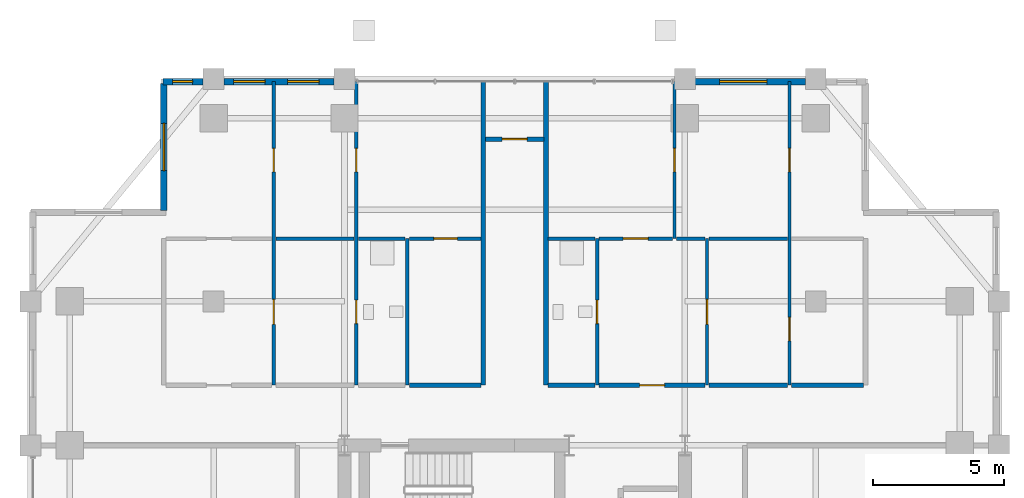
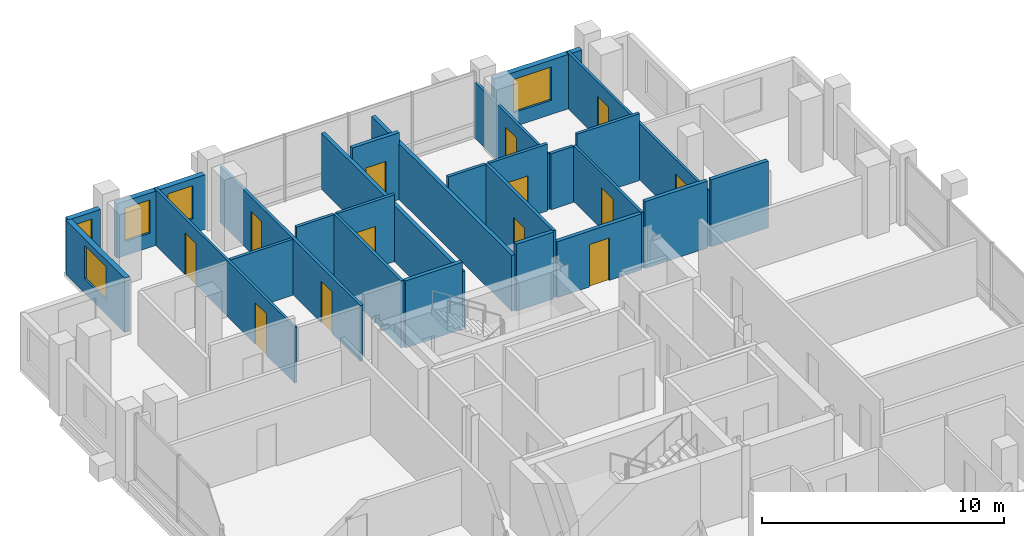
# One storey, part 21 of 24: 26 walls, 13 doors, 5 windows, 18 openings.
"""IFC4 building model written with IfcOpenShell, lengths in metres."""

from ifc_helpers import new_model, si_unit, direction, frame, frame_2d, origin, place, context, subcontext, project, spatial, rectangle, extrude, material, layer, layer_set, type_object, element, fill, save


model = new_model("IFC4")

# Units and contexts
model_context = context("Model", 3, precision=1e-05, world=origin(), true_north=direction((0.0, 1.0)))
body_context = subcontext(model_context, "Body", "Model", "MODEL_VIEW")
ifc_project = project(units=[si_unit("LENGTHUNIT", "METRE"), si_unit("AREAUNIT", "SQUARE_METRE"), si_unit("VOLUMEUNIT", "CUBIC_METRE"), si_unit("PLANEANGLEUNIT", "RADIAN"), si_unit("MASSUNIT", "GRAM", prefix="KILO")], contexts=[model_context])

# Site, building, storey
site_placement = place(None, origin())
site = spatial("IfcSite", under=ifc_project, at=site_placement, CompositionType="ELEMENT")
building_placement = place(site_placement, origin())
building = spatial("IfcBuilding", under=site, at=building_placement, Name="Barlavira Tower and Art Museum", CompositionType="ELEMENT")
storey_placement = place(building_placement, frame((0.0, 0.0, 201.60009765625)))
storey = spatial("IfcBuildingStorey", under=building, at=storey_placement, Name="L52", CompositionType="ELEMENT", Elevation=201.60009765625)

# Wall, openings, doors
ifc_material_1 = material(Name="Gypsum acoustic stud partition", Category="gypsum")
ifc_layer_1 = layer(ifc_material_1, 0.1201171875, Name="Gypsum acoustic stud partition")
ifc_layer_set_1 = layer_set([ifc_layer_1], Name="Gypsum acoustic stud partition")
wall_type_1 = type_object("IfcWallType", Name="Apartment Internal Acoustic Partition 120", PredefinedType="PARTITIONING", material=ifc_layer_set_1)
wall_1_placement = place(storey_placement, frame((-9.199951171875, 9.800048828125, 0.0), z_axis=(0.0, 0.0, 1.0), x_axis=(0.0, 1.0, 0.0)))
wall_1 = element("IfcWall", 1, at=wall_1_placement, inside=storey, type_object=wall_type_1, Name="L52 Partition Wall 4", PredefinedType="PARTITIONING", context=body_context, shape_type="SweptSolid", body=[
    extrude(rectangle(XDim=11.599853515625, YDim=0.1201171875, at=frame_2d((5.7998046875, 0.0))), origin(), (0.0, 0.0, 1.0), 2.825927734375),
])
opening_1_placement = place(wall_1_placement, frame((2.324951171875, 0.0, 0.0)))
opening_1 = element("IfcOpeningElement", 2, at=opening_1_placement, cuts=wall_1, Name="Opening D-02", PredefinedType="OPENING", context=body_context, shape_type="SweptSolid", body=[
    extrude(rectangle(XDim=0.949951171875, YDim=2.10009765625, at=frame_2d((0.47509765625, 1.050048828125))), frame((0.0, 0.070068359375, 0.0), z_axis=(0.0, -1.0, 0.0), x_axis=(1.0, 0.0, 0.0)), (0.0, 0.0, 1.0), 0.14013671875),
])
opening_2_placement = place(wall_1_placement, frame((8.14990234375, 0.0, 0.0)))
opening_2 = element("IfcOpeningElement", 3, at=opening_2_placement, cuts=wall_1, Name="Opening D-01", PredefinedType="OPENING", context=body_context, shape_type="SweptSolid", body=[
    extrude(rectangle(XDim=0.89990234375, YDim=2.10009765625, at=frame_2d((0.449951171875, 1.050048828125))), frame((0.0, 0.070068359375, 0.0), z_axis=(0.0, -1.0, 0.0), x_axis=(1.0, 0.0, 0.0)), (0.0, 0.0, 1.0), 0.14013671875),
])
ifc_material_2 = material(Name="Engineered coastal hardwood", Category="wood")
door_type_1 = type_object("IfcDoorType", Name="Internal Bedroom Timber Flush Door 900x2100", OperationType="NOTDEFINED", PredefinedType="DOOR", material=ifc_material_2)
door_1_placement = place(opening_2_placement, origin())
door_1 = element("IfcDoor", 4, at=door_1_placement, inside=storey, type_object=door_type_1, Name="Apartment NW1 Bedroom 1 Door", OperationType="SINGLE_SWING_RIGHT", OverallHeight=2.10009765625, OverallWidth=0.89990234375, PredefinedType="DOOR", context=body_context, shape_type="SweptSolid", body=[
    extrude(rectangle(XDim=0.89990234375, YDim=2.10009765625, at=frame_2d((0.449951171875, 1.050048828125))), frame((0.0, 0.02490234375, 0.0), z_axis=(0.0, -1.0, 0.0), x_axis=(1.0, 0.0, 0.0)), (0.0, 0.0, 1.0), 0.050048828125),
])
fill(opening_2, door_1)
door_type_2 = type_object("IfcDoorType", Name="Living and Salon Glazed-Leaf Door 950x2100", OperationType="NOTDEFINED", PredefinedType="DOOR", material=ifc_material_2)
door_2_placement = place(opening_1_placement, origin())
door_2 = element("IfcDoor", 5, at=door_2_placement, inside=storey, type_object=door_type_2, Name="Apartment NW1 Kitchen Door", OperationType="SINGLE_SWING_RIGHT", OverallHeight=2.10009765625, OverallWidth=0.949951171875, PredefinedType="DOOR", context=body_context, shape_type="SweptSolid", body=[
    extrude(rectangle(XDim=0.949951171875, YDim=2.10009765625, at=frame_2d((0.47509765625, 1.050048828125))), frame((0.0, 0.02490234375, 0.0), z_axis=(0.0, -1.0, 0.0), x_axis=(1.0, 0.0, 0.0)), (0.0, 0.0, 1.0), 0.050048828125),
])
fill(opening_1, door_2)

# Wall, opening, door
wall_2_placement = place(storey_placement, frame((6.10009765625, 15.39990234375, 0.0), z_axis=(0.0, 0.0, 1.0), x_axis=(0.0, 1.0, 0.0)))
wall_2 = element("IfcWall", 6, at=wall_2_placement, inside=storey, type_object=wall_type_1, Name="L52 Partition Wall 20", PredefinedType="PARTITIONING", context=body_context, shape_type="SweptSolid", body=[
    extrude(rectangle(XDim=6.0, YDim=0.1201171875, at=frame_2d((3.0, 0.0))), origin(), (0.0, 0.0, 1.0), 2.825927734375),
])
opening_3_placement = place(wall_2_placement, frame((2.550048828125, 0.0, 0.0)))
opening_3 = element("IfcOpeningElement", 7, at=opening_3_placement, cuts=wall_2, Name="Opening D-01", PredefinedType="OPENING", context=body_context, shape_type="SweptSolid", body=[
    extrude(rectangle(XDim=0.89990234375, YDim=2.10009765625, at=frame_2d((0.449951171875, 1.050048828125))), frame((0.0, 0.070068359375, 0.0), z_axis=(0.0, -1.0, 0.0), x_axis=(1.0, 0.0, 0.0)), (0.0, 0.0, 1.0), 0.14013671875),
])
door_3_placement = place(opening_3_placement, origin())
door_3 = element("IfcDoor", 8, at=door_3_placement, inside=storey, type_object=door_type_1, Name="Apartment NE1 Bedroom 1 Door", OperationType="SINGLE_SWING_LEFT", OverallHeight=2.10009765625, OverallWidth=0.89990234375, PredefinedType="DOOR", context=body_context, shape_type="SweptSolid", body=[
    extrude(rectangle(XDim=0.89990234375, YDim=2.10009765625, at=frame_2d((0.449951171875, 1.050048828125))), frame((0.0, 0.02490234375, 0.0), z_axis=(0.0, -1.0, 0.0), x_axis=(1.0, 0.0, 0.0)), (0.0, 0.0, 1.0), 0.050048828125),
])
fill(opening_3, door_3)

wall_3_placement = place(storey_placement, frame((7.35009765625, 9.800048828125, 0.0), z_axis=(0.0, 0.0, 1.0), x_axis=(0.0, 1.0, 0.0)))
wall_3 = element("IfcWall", 9, at=wall_3_placement, inside=storey, type_object=wall_type_1, Name="L52 Partition Wall 22", PredefinedType="PARTITIONING", context=body_context, shape_type="SweptSolid", body=[
    extrude(rectangle(XDim=5.599853515625, YDim=0.1201171875, at=frame_2d((2.7998046875, 0.0))), origin(), (0.0, 0.0, 1.0), 2.825927734375),
])
opening_4_placement = place(wall_3_placement, frame((2.324951171875, 0.0, 0.0)))
opening_4 = element("IfcOpeningElement", 10, at=opening_4_placement, cuts=wall_3, Name="Opening D-02", PredefinedType="OPENING", context=body_context, shape_type="SweptSolid", body=[
    extrude(rectangle(XDim=0.949951171875, YDim=2.10009765625, at=frame_2d((0.47509765625, 1.050048828125))), frame((0.0, 0.070068359375, 0.0), z_axis=(0.0, -1.0, 0.0), x_axis=(1.0, 0.0, 0.0)), (0.0, 0.0, 1.0), 0.14013671875),
])
door_4_placement = place(opening_4_placement, origin())
door_4 = element("IfcDoor", 11, at=door_4_placement, inside=storey, type_object=door_type_2, Name="Apartment NE1 Kitchen Door", OperationType="SINGLE_SWING_RIGHT", OverallHeight=2.10009765625, OverallWidth=0.949951171875, PredefinedType="DOOR", context=body_context, shape_type="SweptSolid", body=[
    extrude(rectangle(XDim=0.949951171875, YDim=2.10009765625, at=frame_2d((0.47509765625, 1.050048828125))), frame((0.0, 0.02490234375, 0.0), z_axis=(0.0, -1.0, 0.0), x_axis=(1.0, 0.0, 0.0)), (0.0, 0.0, 1.0), 0.050048828125),
])
fill(opening_4, door_4)

# Wall, openings, doors
wall_4_placement = place(storey_placement, frame((10.5, 9.800048828125, 0.0), z_axis=(0.0, 0.0, 1.0), x_axis=(0.0, 1.0, 0.0)))
wall_4 = element("IfcWall", 12, at=wall_4_placement, inside=storey, type_object=wall_type_1, Name="L52 Partition Wall 25", PredefinedType="PARTITIONING", context=body_context, shape_type="SweptSolid", body=[
    extrude(rectangle(XDim=11.599853515625, YDim=0.1201171875, at=frame_2d((5.7998046875, 0.0))), origin(), (0.0, 0.0, 1.0), 2.825927734375),
])
opening_5_placement = place(wall_4_placement, frame((1.694091796875, 0.0, 0.0)))
opening_5 = element("IfcOpeningElement", 13, at=opening_5_placement, cuts=wall_4, Name="Opening D-01", PredefinedType="OPENING", context=body_context, shape_type="SweptSolid", body=[
    extrude(rectangle(XDim=0.89990234375, YDim=2.10009765625, at=frame_2d((0.449951171875, 1.050048828125))), frame((0.0, 0.070068359375, 0.0), z_axis=(0.0, -1.0, 0.0), x_axis=(1.0, 0.0, 0.0)), (0.0, 0.0, 1.0), 0.14013671875),
])
opening_6_placement = place(wall_4_placement, frame((8.14990234375, 0.0, 0.0)))
opening_6 = element("IfcOpeningElement", 14, at=opening_6_placement, cuts=wall_4, Name="Opening D-01", PredefinedType="OPENING", context=body_context, shape_type="SweptSolid", body=[
    extrude(rectangle(XDim=0.89990234375, YDim=2.10009765625, at=frame_2d((0.449951171875, 1.050048828125))), frame((0.0, 0.070068359375, 0.0), z_axis=(0.0, -1.0, 0.0), x_axis=(1.0, 0.0, 0.0)), (0.0, 0.0, 1.0), 0.14013671875),
])
door_5_placement = place(opening_5_placement, origin())
door_5 = element("IfcDoor", 15, at=door_5_placement, inside=storey, type_object=door_type_1, Name="Apartment NE1 Walk-In Dressing Room Door", OperationType="SINGLE_SWING_LEFT", OverallHeight=2.10009765625, OverallWidth=0.89990234375, PredefinedType="DOOR", context=body_context, shape_type="SweptSolid", body=[
    extrude(rectangle(XDim=0.89990234375, YDim=2.10009765625, at=frame_2d((0.449951171875, 1.050048828125))), frame((0.0, 0.02490234375, 0.0), z_axis=(0.0, -1.0, 0.0), x_axis=(1.0, 0.0, 0.0)), (0.0, 0.0, 1.0), 0.050048828125),
])
fill(opening_5, door_5)
door_6_placement = place(opening_6_placement, origin())
door_6 = element("IfcDoor", 16, at=door_6_placement, inside=storey, type_object=door_type_1, Name="Apartment NE1 Bedroom 2 Door", OperationType="SINGLE_SWING_RIGHT", OverallHeight=2.10009765625, OverallWidth=0.89990234375, PredefinedType="DOOR", context=body_context, shape_type="SweptSolid", body=[
    extrude(rectangle(XDim=0.89990234375, YDim=2.10009765625, at=frame_2d((0.449951171875, 1.050048828125))), frame((0.0, 0.02490234375, 0.0), z_axis=(0.0, -1.0, 0.0), x_axis=(1.0, 0.0, 0.0)), (0.0, 0.0, 1.0), 0.050048828125),
])
fill(opening_6, door_6)

# Walls
ifc_layer_2 = layer(ifc_material_1, 0.179931640625, Name="Gypsum acoustic stud partition")
ifc_layer_set_2 = layer_set([ifc_layer_2], Name="Gypsum acoustic stud partition")
wall_type_2 = type_object("IfcWallType", Name="Inter-Tenancy Party Partition Wall 180", PredefinedType="PARTITIONING", material=ifc_layer_set_2)
for number, where, z_axis, x_axis, name in (
    (17, (-1.199951171875, 9.800048828125, 0.0), (0.0, 0.0, 1.0), (0.0, 1.0, 0.0), "L52 Partition Wall 13"),
    (18, (1.199951171875, 9.800048828125, 0.0), (0.0, 0.0, 1.0), (0.0, 1.0, 0.0), "L52 Partition Wall 15"),
):
    element("IfcWall", number, at=place(storey_placement, frame(where, z_axis=z_axis, x_axis=x_axis)), inside=storey, type_object=wall_type_2, Name=name, PredefinedType="PARTITIONING", context=body_context, shape_type="SweptSolid", body=[
        extrude(rectangle(XDim=11.599853515625, YDim=0.179931640625, at=frame_2d((5.7998046875, 0.0))), origin(), (0.0, 0.0, 1.0), 2.825927734375),
    ])
wall_5_placement = place(storey_placement, frame((-4.02001953125, 9.800048828125, 0.0), z_axis=(0.0, 0.0, 1.0), x_axis=(1.0, 0.0, 0.0)))
element("IfcWall", 19, at=wall_5_placement, inside=storey, type_object=wall_type_2, Name="L52 Partition Wall 61", PredefinedType="PARTITIONING", context=body_context, shape_type="SweptSolid", body=[
    extrude(rectangle(XDim=2.739990234375, YDim=0.179931640625, at=frame_2d((1.3701171875, 0.0))), origin(), (0.0, 0.0, 1.0), 3.3798828125),
])
wall_6_placement = place(storey_placement, frame((1.280029296875, 9.800048828125, 0.0), z_axis=(0.0, 0.0, 1.0), x_axis=(1.0, 0.0, 0.0)))
element("IfcWall", 20, at=wall_6_placement, inside=storey, type_object=wall_type_2, Name="L52 Partition Wall 62", PredefinedType="PARTITIONING", context=body_context, shape_type="SweptSolid", body=[
    extrude(rectangle(XDim=1.7900390625, YDim=0.179931640625, at=frame_2d((0.89501953125, 0.0))), origin(), (0.0, 0.0, 1.0), 3.3798828125),
])

# Wall, opening, door
wall_7_placement = place(storey_placement, frame((3.22998046875, 9.800048828125, 0.0), z_axis=(0.0, 0.0, 1.0), x_axis=(1.0, 0.0, 0.0)))
wall_7 = element("IfcWall", 21, at=wall_7_placement, inside=storey, type_object=wall_type_2, Name="L52 Partition Wall 63", PredefinedType="PARTITIONING", context=body_context, shape_type="SweptSolid", body=[
    extrude(rectangle(XDim=4.0400390625, YDim=0.179931640625, at=frame_2d((2.02001953125, 0.0))), origin(), (0.0, 0.0, 1.0), 2.825927734375),
])
opening_7_placement = place(wall_7_placement, frame((1.544921875, 0.0, 0.0)))
opening_7 = element("IfcOpeningElement", 22, at=opening_7_placement, cuts=wall_7, Name="Opening FD-60", PredefinedType="OPENING", context=body_context, shape_type="SweptSolid", body=[
    extrude(rectangle(XDim=0.949951171875, YDim=2.14990234375, at=frame_2d((0.47509765625, 1.074951171875))), frame((0.0, 0.10009765625, 0.0), z_axis=(0.0, -1.0, 0.0), x_axis=(1.0, 0.0, 0.0)), (0.0, 0.0, 1.0), 0.199951171875),
])
ifc_material_3 = material(Name="Brushed stainless steel", Category="steel")
door_type_3 = type_object("IfcDoorType", Name="Apartment Entrance and Riser Fire Door 950x2150 FD60S", OperationType="NOTDEFINED", PredefinedType="DOOR", material=ifc_material_3)
door_7_placement = place(opening_7_placement, origin())
door_7 = element("IfcDoor", 23, at=door_7_placement, inside=storey, type_object=door_type_3, Name="Apartment Entrance Hall NE1 Door", OperationType="SINGLE_SWING_LEFT", OverallHeight=2.14990234375, OverallWidth=0.949951171875, PredefinedType="DOOR", context=body_context, shape_type="SweptSolid", body=[
    extrude(rectangle(XDim=0.949951171875, YDim=2.14990234375, at=frame_2d((0.47509765625, 1.074951171875))), frame((0.0, 0.02490234375, 0.0), z_axis=(0.0, -1.0, 0.0), x_axis=(1.0, 0.0, 0.0)), (0.0, 0.0, 1.0), 0.050048828125),
])
fill(opening_7, door_7)

# Walls
wall_8_placement = place(storey_placement, frame((7.429931640625, 9.800048828125, 0.0), z_axis=(0.0, 0.0, 1.0), x_axis=(1.0, 0.0, 0.0)))
element("IfcWall", 24, at=wall_8_placement, inside=storey, type_object=wall_type_2, Name="L52 Partition Wall 64", PredefinedType="PARTITIONING", context=body_context, shape_type="SweptSolid", body=[
    extrude(rectangle(XDim=2.989990234375, YDim=0.179931640625, at=frame_2d((1.4951171875, 0.0))), origin(), (0.0, 0.0, 1.0), 3.3798828125),
])
wall_9_placement = place(storey_placement, frame((10.580078125, 9.800048828125, 0.0), z_axis=(0.0, 0.0, 1.0), x_axis=(1.0, 0.0, 0.0)))
element("IfcWall", 25, at=wall_9_placement, inside=storey, type_object=wall_type_2, Name="L52 Partition Wall 65", PredefinedType="PARTITIONING", context=body_context, shape_type="SweptSolid", body=[
    extrude(rectangle(XDim=2.739990234375, YDim=0.179931640625, at=frame_2d((1.3701171875, 0.0))), origin(), (0.0, 0.0, 1.0), 3.3798828125),
])

# Wall, opening, door
wall_10_placement = place(storey_placement, frame((-1.1201171875, 19.199951171875, 0.0), z_axis=(0.0, 0.0, 1.0), x_axis=(1.0, 0.0, 0.0)))
wall_10 = element("IfcWall", 26, at=wall_10_placement, inside=storey, type_object=wall_type_2, Name="L52 Partition Wall 75", PredefinedType="PARTITIONING", context=body_context, shape_type="SweptSolid", body=[
    extrude(rectangle(XDim=2.240234375, YDim=0.179931640625, at=frame_2d((1.1201171875, 0.0))), origin(), (0.0, 0.0, 1.0), 3.3798828125),
])
opening_8_placement = place(wall_10_placement, frame((0.64501953125, 0.0, 0.0)))
opening_8 = element("IfcOpeningElement", 27, at=opening_8_placement, cuts=wall_10, Name="Opening FD-60", PredefinedType="OPENING", context=body_context, shape_type="SweptSolid", body=[
    extrude(rectangle(XDim=0.949951171875, YDim=2.14990234375, at=frame_2d((0.47509765625, 1.074951171875))), frame((0.0, 0.10009765625, 0.0), z_axis=(0.0, -1.0, 0.0), x_axis=(1.0, 0.0, 0.0)), (0.0, 0.0, 1.0), 0.199951171875),
])
door_8_placement = place(opening_8_placement, origin())
door_8 = element("IfcDoor", 28, at=door_8_placement, inside=storey, type_object=door_type_3, Name="L52 North Ocean Alcove Door", OperationType="SINGLE_SWING_RIGHT", OverallHeight=2.14990234375, OverallWidth=0.949951171875, PredefinedType="DOOR", context=body_context, shape_type="SweptSolid", body=[
    extrude(rectangle(XDim=0.949951171875, YDim=2.14990234375, at=frame_2d((0.47509765625, 1.074951171875))), frame((0.0, 0.02490234375, 0.0), z_axis=(0.0, -1.0, 0.0), x_axis=(1.0, 0.0, 0.0)), (0.0, 0.0, 1.0), 0.050048828125),
])
fill(opening_8, door_8)

# Wall, openings, doors
ifc_layer_3 = layer(ifc_material_1, 0.139892578125, Name="Gypsum acoustic stud partition")
ifc_layer_set_3 = layer_set([ifc_layer_3], Name="Gypsum acoustic stud partition")
wall_type_3 = type_object("IfcWallType", Name="Moisture-Resistant Bathroom Partition 140", PredefinedType="PARTITIONING", material=ifc_layer_set_3)
wall_11_placement = place(storey_placement, frame((-6.050048828125, 9.800048828125, 0.0), z_axis=(0.0, 0.0, 1.0), x_axis=(0.0, 1.0, 0.0)))
wall_11 = element("IfcWall", 29, at=wall_11_placement, inside=storey, type_object=wall_type_3, Name="L52 Partition Wall 8", PredefinedType="PARTITIONING", context=body_context, shape_type="SweptSolid", body=[
    extrude(rectangle(XDim=11.599853515625, YDim=0.139892578125, at=frame_2d((5.7998046875, 0.0))), origin(), (0.0, 0.0, 1.0), 2.825927734375),
])
opening_9_placement = place(wall_11_placement, frame((2.35009765625, 0.0, 0.0)))
opening_9 = element("IfcOpeningElement", 30, at=opening_9_placement, cuts=wall_11, Name="Opening D-WC", PredefinedType="OPENING", context=body_context, shape_type="SweptSolid", body=[
    extrude(rectangle(XDim=0.89990234375, YDim=2.10009765625, at=frame_2d((0.449951171875, 1.050048828125))), frame((0.0, 0.080078125, 0.0), z_axis=(0.0, -1.0, 0.0), x_axis=(1.0, 0.0, 0.0)), (0.0, 0.0, 1.0), 0.159912109375),
])
opening_10_placement = place(wall_11_placement, frame((8.14990234375, 0.0, 0.0)))
opening_10 = element("IfcOpeningElement", 31, at=opening_10_placement, cuts=wall_11, Name="Opening D-01", PredefinedType="OPENING", context=body_context, shape_type="SweptSolid", body=[
    extrude(rectangle(XDim=0.89990234375, YDim=2.10009765625, at=frame_2d((0.449951171875, 1.050048828125))), frame((0.0, 0.080078125, 0.0), z_axis=(0.0, -1.0, 0.0), x_axis=(1.0, 0.0, 0.0)), (0.0, 0.0, 1.0), 0.159912109375),
])
door_type_4 = type_object("IfcDoorType", Name="Accessible Bathroom Flush Door 900x2100", OperationType="NOTDEFINED", PredefinedType="DOOR", material=ifc_material_2)
door_9_placement = place(opening_9_placement, origin())
door_9 = element("IfcDoor", 32, at=door_9_placement, inside=storey, type_object=door_type_4, Name="Apartment NW1 Hall Bathroom Door", OperationType="SINGLE_SWING_LEFT", OverallHeight=2.10009765625, OverallWidth=0.89990234375, PredefinedType="DOOR", context=body_context, shape_type="SweptSolid", body=[
    extrude(rectangle(XDim=0.89990234375, YDim=2.10009765625, at=frame_2d((0.449951171875, 1.050048828125))), frame((0.0, 0.02490234375, 0.0), z_axis=(0.0, -1.0, 0.0), x_axis=(1.0, 0.0, 0.0)), (0.0, 0.0, 1.0), 0.050048828125),
])
fill(opening_9, door_9)
door_10_placement = place(opening_10_placement, origin())
door_10 = element("IfcDoor", 33, at=door_10_placement, inside=storey, type_object=door_type_1, Name="Apartment NW1 Bedroom 2 Door", OperationType="SINGLE_SWING_LEFT", OverallHeight=2.10009765625, OverallWidth=0.89990234375, PredefinedType="DOOR", context=body_context, shape_type="SweptSolid", body=[
    extrude(rectangle(XDim=0.89990234375, YDim=2.10009765625, at=frame_2d((0.449951171875, 1.050048828125))), frame((0.0, 0.02490234375, 0.0), z_axis=(0.0, -1.0, 0.0), x_axis=(1.0, 0.0, 0.0)), (0.0, 0.0, 1.0), 0.050048828125),
])
fill(opening_10, door_10)

# Wall
wall_12_placement = place(storey_placement, frame((-4.10009765625, 9.800048828125, 0.0), z_axis=(0.0, 0.0, 1.0), x_axis=(0.0, 1.0, 0.0)))
element("IfcWall", 34, at=wall_12_placement, inside=storey, type_object=wall_type_3, Name="L52 Partition Wall 11", PredefinedType="PARTITIONING", context=body_context, shape_type="SweptSolid", body=[
    extrude(rectangle(XDim=5.599853515625, YDim=0.139892578125, at=frame_2d((2.7998046875, 0.0))), origin(), (0.0, 0.0, 1.0), 3.3798828125),
])

# Wall, opening, door
wall_13_placement = place(storey_placement, frame((3.14990234375, 9.800048828125, 0.0), z_axis=(0.0, 0.0, 1.0), x_axis=(0.0, 1.0, 0.0)))
wall_13 = element("IfcWall", 35, at=wall_13_placement, inside=storey, type_object=wall_type_3, Name="L52 Partition Wall 17", PredefinedType="PARTITIONING", context=body_context, shape_type="SweptSolid", body=[
    extrude(rectangle(XDim=5.599853515625, YDim=0.139892578125, at=frame_2d((2.7998046875, 0.0))), origin(), (0.0, 0.0, 1.0), 3.3798828125),
])
opening_11_placement = place(wall_13_placement, frame((2.35009765625, 0.0, 0.0)))
opening_11 = element("IfcOpeningElement", 36, at=opening_11_placement, cuts=wall_13, Name="Opening D-WC", PredefinedType="OPENING", context=body_context, shape_type="SweptSolid", body=[
    extrude(rectangle(XDim=0.89990234375, YDim=2.10009765625, at=frame_2d((0.449951171875, 1.050048828125))), frame((0.0, 0.080078125, 0.0), z_axis=(0.0, -1.0, 0.0), x_axis=(1.0, 0.0, 0.0)), (0.0, 0.0, 1.0), 0.159912109375),
])
door_11_placement = place(opening_11_placement, origin())
door_11 = element("IfcDoor", 37, at=door_11_placement, inside=storey, type_object=door_type_4, Name="Apartment NE1 Hall Bathroom Door", OperationType="SINGLE_SWING_RIGHT", OverallHeight=2.10009765625, OverallWidth=0.89990234375, PredefinedType="DOOR", context=body_context, shape_type="SweptSolid", body=[
    extrude(rectangle(XDim=0.89990234375, YDim=2.10009765625, at=frame_2d((0.449951171875, 1.050048828125))), frame((0.0, 0.02490234375, 0.0), z_axis=(0.0, -1.0, 0.0), x_axis=(1.0, 0.0, 0.0)), (0.0, 0.0, 1.0), 0.050048828125),
])
fill(opening_11, door_11)

# Walls
wall_14_placement = place(storey_placement, frame((-9.1201171875, 15.39990234375, 0.0), z_axis=(0.0, 0.0, 1.0), x_axis=(1.0, 0.0, 0.0)))
element("IfcWall", 38, at=wall_14_placement, inside=storey, type_object=wall_type_3, Name="L52 Partition Wall 67", PredefinedType="PARTITIONING", context=body_context, shape_type="SweptSolid", body=[
    extrude(rectangle(XDim=2.990234375, YDim=0.139892578125, at=frame_2d((1.4951171875, 0.0))), origin(), (0.0, 0.0, 1.0), 2.825927734375),
])
wall_15_placement = place(storey_placement, frame((-5.969970703125, 15.39990234375, 0.0), z_axis=(0.0, 0.0, 1.0), x_axis=(1.0, 0.0, 0.0)))
element("IfcWall", 39, at=wall_15_placement, inside=storey, type_object=wall_type_3, Name="L52 Partition Wall 68", PredefinedType="PARTITIONING", context=body_context, shape_type="SweptSolid", body=[
    extrude(rectangle(XDim=1.7900390625, YDim=0.139892578125, at=frame_2d((0.89501953125, 0.0))), origin(), (0.0, 0.0, 1.0), 3.3798828125),
])

# Wall, opening, door
wall_16_placement = place(storey_placement, frame((-4.02001953125, 15.39990234375, 0.0), z_axis=(0.0, 0.0, 1.0), x_axis=(1.0, 0.0, 0.0)))
wall_16 = element("IfcWall", 40, at=wall_16_placement, inside=storey, type_object=wall_type_3, Name="L52 Partition Wall 69", PredefinedType="PARTITIONING", context=body_context, shape_type="SweptSolid", body=[
    extrude(rectangle(XDim=2.739990234375, YDim=0.139892578125, at=frame_2d((1.3701171875, 0.0))), origin(), (0.0, 0.0, 1.0), 3.3798828125),
])
opening_12_placement = place(wall_16_placement, frame((0.929931640625, 0.0, 0.0)))
opening_12 = element("IfcOpeningElement", 41, at=opening_12_placement, cuts=wall_16, Name="Opening D-01", PredefinedType="OPENING", context=body_context, shape_type="SweptSolid", body=[
    extrude(rectangle(XDim=0.89990234375, YDim=2.10009765625, at=frame_2d((0.449951171875, 1.050048828125))), frame((0.0, 0.080078125, 0.0), z_axis=(0.0, -1.0, 0.0), x_axis=(1.0, 0.0, 0.0)), (0.0, 0.0, 1.0), 0.159912109375),
])
door_12_placement = place(opening_12_placement, origin())
door_12 = element("IfcDoor", 42, at=door_12_placement, inside=storey, type_object=door_type_1, Name="Apartment NW1 Study Door", OperationType="SINGLE_SWING_RIGHT", OverallHeight=2.10009765625, OverallWidth=0.89990234375, PredefinedType="DOOR", context=body_context, shape_type="SweptSolid", body=[
    extrude(rectangle(XDim=0.89990234375, YDim=2.10009765625, at=frame_2d((0.449951171875, 1.050048828125))), frame((0.0, 0.02490234375, 0.0), z_axis=(0.0, -1.0, 0.0), x_axis=(1.0, 0.0, 0.0)), (0.0, 0.0, 1.0), 0.050048828125),
])
fill(opening_12, door_12)

# Wall
wall_17_placement = place(storey_placement, frame((1.280029296875, 15.39990234375, 0.0), z_axis=(0.0, 0.0, 1.0), x_axis=(1.0, 0.0, 0.0)))
element("IfcWall", 43, at=wall_17_placement, inside=storey, type_object=wall_type_3, Name="L52 Partition Wall 70", PredefinedType="PARTITIONING", context=body_context, shape_type="SweptSolid", body=[
    extrude(rectangle(XDim=1.7900390625, YDim=0.139892578125, at=frame_2d((0.89501953125, 0.0))), origin(), (0.0, 0.0, 1.0), 3.3798828125),
])

# Wall, opening, door
wall_18_placement = place(storey_placement, frame((3.22998046875, 15.39990234375, 0.0), z_axis=(0.0, 0.0, 1.0), x_axis=(1.0, 0.0, 0.0)))
wall_18 = element("IfcWall", 44, at=wall_18_placement, inside=storey, type_object=wall_type_3, Name="L52 Partition Wall 71", PredefinedType="PARTITIONING", context=body_context, shape_type="SweptSolid", body=[
    extrude(rectangle(XDim=2.7900390625, YDim=0.139892578125, at=frame_2d((1.39501953125, 0.0))), origin(), (0.0, 0.0, 1.0), 3.3798828125),
])
opening_13_placement = place(wall_18_placement, frame((0.9150390625, 0.0, 0.0)))
opening_13 = element("IfcOpeningElement", 45, at=opening_13_placement, cuts=wall_18, Name="Opening D-02", PredefinedType="OPENING", context=body_context, shape_type="SweptSolid", body=[
    extrude(rectangle(XDim=0.949951171875, YDim=2.10009765625, at=frame_2d((0.47509765625, 1.050048828125))), frame((0.0, 0.080078125, 0.0), z_axis=(0.0, -1.0, 0.0), x_axis=(1.0, 0.0, 0.0)), (0.0, 0.0, 1.0), 0.159912109375),
])
door_13_placement = place(opening_13_placement, origin())
door_13 = element("IfcDoor", 46, at=door_13_placement, inside=storey, type_object=door_type_2, Name="Apartment NE1 Living Lounge Door", OperationType="SINGLE_SWING_RIGHT", OverallHeight=2.10009765625, OverallWidth=0.949951171875, PredefinedType="DOOR", context=body_context, shape_type="SweptSolid", body=[
    extrude(rectangle(XDim=0.949951171875, YDim=2.10009765625, at=frame_2d((0.47509765625, 1.050048828125))), frame((0.0, 0.02490234375, 0.0), z_axis=(0.0, -1.0, 0.0), x_axis=(1.0, 0.0, 0.0)), (0.0, 0.0, 1.0), 0.050048828125),
])
fill(opening_13, door_13)

# Walls
wall_19_placement = place(storey_placement, frame((6.179931640625, 15.39990234375, 0.0), z_axis=(0.0, 0.0, 1.0), x_axis=(1.0, 0.0, 0.0)))
element("IfcWall", 47, at=wall_19_placement, inside=storey, type_object=wall_type_3, Name="L52 Partition Wall 72", PredefinedType="PARTITIONING", context=body_context, shape_type="SweptSolid", body=[
    extrude(rectangle(XDim=1.090087890625, YDim=0.139892578125, at=frame_2d((0.544921875, 0.0))), origin(), (0.0, 0.0, 1.0), 2.825927734375),
])
wall_20_placement = place(storey_placement, frame((7.429931640625, 15.39990234375, 0.0), z_axis=(0.0, 0.0, 1.0), x_axis=(1.0, 0.0, 0.0)))
element("IfcWall", 48, at=wall_20_placement, inside=storey, type_object=wall_type_3, Name="L52 Partition Wall 73", PredefinedType="PARTITIONING", context=body_context, shape_type="SweptSolid", body=[
    extrude(rectangle(XDim=2.989990234375, YDim=0.139892578125, at=frame_2d((1.4951171875, 0.0))), origin(), (0.0, 0.0, 1.0), 3.3798828125),
])

# Wall, opening, window
ifc_material_4 = material(Name="Precast concrete C40", Category="concrete")
ifc_layer_4 = layer(ifc_material_4, 0.25, Name="Precast concrete C40")
ifc_layer_set_4 = layer_set([ifc_layer_4], Name="Precast concrete C40")
wall_type_4 = type_object("IfcWallType", Name="Notched Corner Spandrel Wall 250 Precast Concrete C40", PredefinedType="SOLIDWALL", material=ifc_layer_set_4)
wall_21_placement = place(storey_placement, frame((11.10498046875, 21.39990234375, 0.0), z_axis=(0.0, 0.0, 1.0), x_axis=(-1.0, 0.0, 0.0)))
wall_21 = element("IfcWall", 49, at=wall_21_placement, inside=storey, type_object=wall_type_4, Name="L52 Coastal Facade Pier Wall CW3-L52-N-2", PredefinedType="SOLIDWALL", context=body_context, shape_type="SweptSolid", body=[
    extrude(rectangle(XDim=4.2099609375, YDim=0.25, at=frame_2d((2.10498046875, 0.0))), origin(), (0.0, 0.0, 1.0), 2.747802734375),
])
opening_14_placement = place(wall_21_placement, frame((1.47509765625, 0.0, 0.719970703125)))
opening_14 = element("IfcOpeningElement", 50, at=opening_14_placement, cuts=wall_21, Name="Opening WN-01", PredefinedType="OPENING", context=body_context, shape_type="SweptSolid", body=[
    extrude(rectangle(XDim=1.800048828125, YDim=1.679931640625, at=frame_2d((0.89990234375, 0.83984375))), frame((0.0, 0.135009765625, 0.0), z_axis=(0.0, -1.0, 0.0), x_axis=(1.0, 0.0, 0.0)), (0.0, 0.0, 1.0), 0.27001953125),
])
ifc_material_5 = material(Name="Low-iron coastal laminated glass", Category="glass")
window_type_1 = type_object("IfcWindowType", Name="Recessed Notch Corner Punch Window 1800x1680", PartitioningType="SINGLE_PANEL", PredefinedType="WINDOW", material=ifc_material_5)
window_1_placement = place(opening_14_placement, origin())
window_1 = element("IfcWindow", 51, at=window_1_placement, inside=storey, type_object=window_type_1, Name="L52 Punched Facade Window EWP-CW3-L52-N-2-1", OverallHeight=1.679931640625, OverallWidth=1.800048828125, PartitioningType="SINGLE_PANEL", PredefinedType="WINDOW", context=body_context, shape_type="SweptSolid", body=[
    extrude(rectangle(XDim=1.800048828125, YDim=1.679931640625, at=frame_2d((0.89990234375, 0.83984375))), frame((0.0, 0.030029296875, 0.0), z_axis=(0.0, -1.0, 0.0), x_axis=(1.0, 0.0, 0.0)), (0.0, 0.0, 1.0), 0.06005859375),
])
fill(opening_14, window_1)

# Wall, openings, windows
wall_22_placement = place(storey_placement, frame((-6.89501953125, 21.39990234375, 0.0), z_axis=(0.0, 0.0, 1.0), x_axis=(-1.0, 0.0, 0.0)))
wall_22 = element("IfcWall", 52, at=wall_22_placement, inside=storey, type_object=wall_type_4, Name="L52 Coastal Facade Pier Wall CW3-L52-N-4", PredefinedType="SOLIDWALL", context=body_context, shape_type="SweptSolid", body=[
    extrude(rectangle(XDim=4.2099609375, YDim=0.25, at=frame_2d((2.10498046875, 0.0))), origin(), (0.0, 0.0, 1.0), 2.747802734375),
])
opening_15_placement = place(wall_22_placement, frame((0.574951171875, 0.0, 0.719970703125)))
opening_15 = element("IfcOpeningElement", 53, at=opening_15_placement, cuts=wall_22, Name="Opening WN-05", PredefinedType="OPENING", context=body_context, shape_type="SweptSolid", body=[
    extrude(rectangle(XDim=1.199951171875, YDim=1.679931640625, at=frame_2d((0.60009765625, 0.83984375))), frame((0.0, 0.135009765625, 0.0), z_axis=(0.0, -1.0, 0.0), x_axis=(1.0, 0.0, 0.0)), (0.0, 0.0, 1.0), 0.27001953125),
])
opening_16_placement = place(wall_22_placement, frame((2.635009765625, 0.0, 0.719970703125)))
opening_16 = element("IfcOpeningElement", 54, at=opening_16_placement, cuts=wall_22, Name="Opening WN-05", PredefinedType="OPENING", context=body_context, shape_type="SweptSolid", body=[
    extrude(rectangle(XDim=1.199951171875, YDim=1.679931640625, at=frame_2d((0.60009765625, 0.83984375))), frame((0.0, 0.135009765625, 0.0), z_axis=(0.0, -1.0, 0.0), x_axis=(1.0, 0.0, 0.0)), (0.0, 0.0, 1.0), 0.27001953125),
])
window_type_2 = type_object("IfcWindowType", Name="Recessed Flank Pier Punch Window 1200x1680", PartitioningType="SINGLE_PANEL", PredefinedType="WINDOW", material=ifc_material_5)
window_2_placement = place(opening_15_placement, origin())
window_2 = element("IfcWindow", 55, at=window_2_placement, inside=storey, type_object=window_type_2, Name="L52 Punched Facade Window EWP-CW3-L52-N-4-1", OverallHeight=1.679931640625, OverallWidth=1.199951171875, PartitioningType="SINGLE_PANEL", PredefinedType="WINDOW", context=body_context, shape_type="SweptSolid", body=[
    extrude(rectangle(XDim=1.199951171875, YDim=1.679931640625, at=frame_2d((0.60009765625, 0.83984375))), frame((0.0, 0.030029296875, 0.0), z_axis=(0.0, -1.0, 0.0), x_axis=(1.0, 0.0, 0.0)), (0.0, 0.0, 1.0), 0.06005859375),
])
fill(opening_15, window_2)
window_3_placement = place(opening_16_placement, origin())
window_3 = element("IfcWindow", 56, at=window_3_placement, inside=storey, type_object=window_type_2, Name="L52 Punched Facade Window EWP-CW3-L52-N-4-2", OverallHeight=1.679931640625, OverallWidth=1.199951171875, PartitioningType="SINGLE_PANEL", PredefinedType="WINDOW", context=body_context, shape_type="SweptSolid", body=[
    extrude(rectangle(XDim=1.199951171875, YDim=1.679931640625, at=frame_2d((0.60009765625, 0.83984375))), frame((0.0, 0.030029296875, 0.0), z_axis=(0.0, -1.0, 0.0), x_axis=(1.0, 0.0, 0.0)), (0.0, 0.0, 1.0), 0.06005859375),
])
fill(opening_16, window_3)

# Wall, opening, window
wall_23_placement = place(storey_placement, frame((-11.89501953125, 21.39990234375, 0.0), z_axis=(0.0, 0.0, 1.0), x_axis=(-1.0, 0.0, 0.0)))
wall_23 = element("IfcWall", 57, at=wall_23_placement, inside=storey, type_object=wall_type_4, Name="L52 Coastal Facade Pier Wall CW3-L52-N-5", PredefinedType="SOLIDWALL", context=body_context, shape_type="SweptSolid", body=[
    extrude(rectangle(XDim=1.530029296875, YDim=0.25, at=frame_2d((0.76513671875, 0.0))), origin(), (0.0, 0.0, 1.0), 2.747802734375),
])
opening_17_placement = place(wall_23_placement, frame((0.407958984375, 0.0, 0.719970703125)))
opening_17 = element("IfcOpeningElement", 58, at=opening_17_placement, cuts=wall_23, Name="Opening WN-06", PredefinedType="OPENING", context=body_context, shape_type="SweptSolid", body=[
    extrude(rectangle(XDim=0.760009765625, YDim=1.679931640625, at=frame_2d((0.3798828125, 0.83984375))), frame((0.0, 0.135009765625, 0.0), z_axis=(0.0, -1.0, 0.0), x_axis=(1.0, 0.0, 0.0)), (0.0, 0.0, 1.0), 0.27001953125),
])
window_type_3 = type_object("IfcWindowType", Name="Recessed Narrow Pier Window 760x1680", PartitioningType="SINGLE_PANEL", PredefinedType="WINDOW", material=ifc_material_5)
window_4_placement = place(opening_17_placement, origin())
window_4 = element("IfcWindow", 59, at=window_4_placement, inside=storey, type_object=window_type_3, Name="L52 Punched Facade Window EWP-CW3-L52-N-5-1", OverallHeight=1.679931640625, OverallWidth=0.760009765625, PartitioningType="SINGLE_PANEL", PredefinedType="WINDOW", context=body_context, shape_type="SweptSolid", body=[
    extrude(rectangle(XDim=0.760009765625, YDim=1.679931640625, at=frame_2d((0.3798828125, 0.83984375))), frame((0.0, 0.030029296875, 0.0), z_axis=(0.0, -1.0, 0.0), x_axis=(1.0, 0.0, 0.0)), (0.0, 0.0, 1.0), 0.06005859375),
])
fill(opening_17, window_4)

wall_24_placement = place(storey_placement, frame((-13.39990234375, 21.320068359375, 0.0), z_axis=(0.0, 0.0, 1.0), x_axis=(0.0, -1.0, 0.0)))
wall_24 = element("IfcWall", 60, at=wall_24_placement, inside=storey, type_object=wall_type_4, Name="L52 Notch Corner Wall NW1", PredefinedType="SOLIDWALL", context=body_context, shape_type="SweptSolid", body=[
    extrude(rectangle(XDim=4.840087890625, YDim=0.25, at=frame_2d((2.419921875, 0.0))), origin(), (0.0, 0.0, 1.0), 2.747802734375),
])
opening_18_placement = place(wall_24_placement, frame((1.52001953125, 0.0, 0.719970703125)))
opening_18 = element("IfcOpeningElement", 61, at=opening_18_placement, cuts=wall_24, Name="Opening WN-01", PredefinedType="OPENING", context=body_context, shape_type="SweptSolid", body=[
    extrude(rectangle(XDim=1.800048828125, YDim=1.679931640625, at=frame_2d((0.89990234375, 0.83984375))), frame((0.0, 0.135009765625, 0.0), z_axis=(0.0, -1.0, 0.0), x_axis=(1.0, 0.0, 0.0)), (0.0, 0.0, 1.0), 0.27001953125),
])
window_5_placement = place(opening_18_placement, origin())
window_5 = element("IfcWindow", 62, at=window_5_placement, inside=storey, type_object=window_type_1, Name="L52 Punched Facade Window EW-NTC-L52-NW1-1", OverallHeight=1.679931640625, OverallWidth=1.800048828125, PartitioningType="SINGLE_PANEL", PredefinedType="WINDOW", context=body_context, shape_type="SweptSolid", body=[
    extrude(rectangle(XDim=1.800048828125, YDim=1.679931640625, at=frame_2d((0.89990234375, 0.83984375))), frame((0.0, 0.030029296875, 0.0), z_axis=(0.0, -1.0, 0.0), x_axis=(1.0, 0.0, 0.0)), (0.0, 0.0, 1.0), 0.06005859375),
])
fill(opening_18, window_5)

save(model, "model.ifc")
